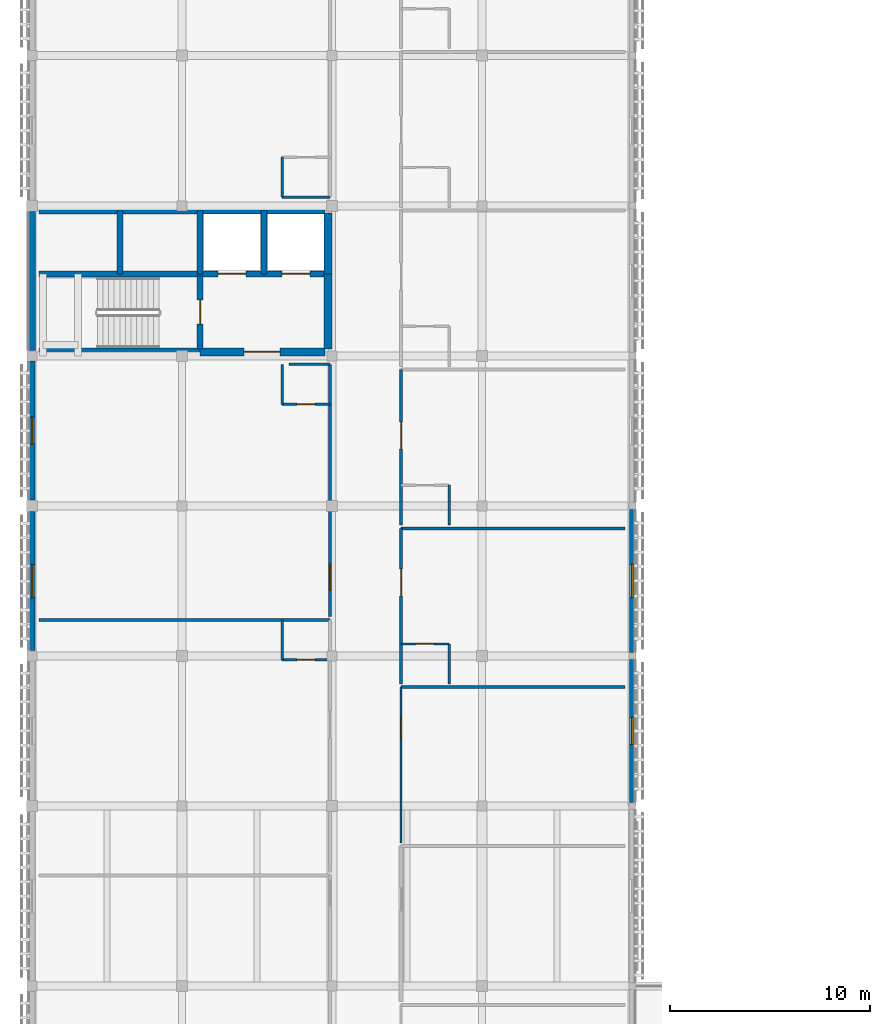
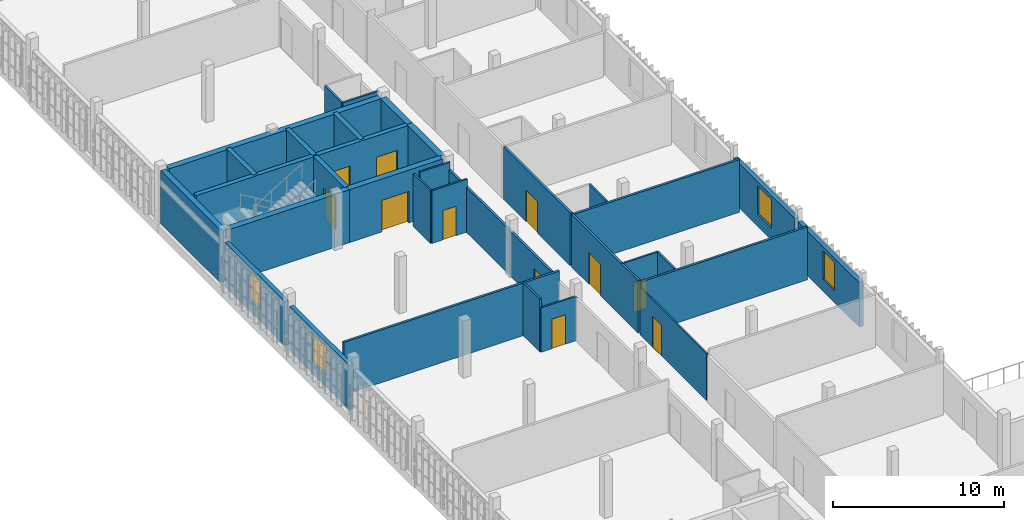
# One storey, part 6 of 17: 33 walls, 11 doors, 4 windows, 15 openings.
"""IFC4 building model written with IfcOpenShell, lengths in metres."""

from ifc_helpers import new_model, si_unit, direction, frame, frame_2d, origin, place, context, subcontext, project, spatial, rectangle, extrude, material, layer, layer_set, type_object, element, fill, save


model = new_model("IFC4")

# Units and contexts
model_context = context("Model", 3, precision=1e-05, world=origin(), true_north=direction((0.0, 1.0)))
body_context = subcontext(model_context, "Body", "Model", "MODEL_VIEW")
ifc_project = project(units=[si_unit("LENGTHUNIT", "METRE"), si_unit("AREAUNIT", "SQUARE_METRE"), si_unit("VOLUMEUNIT", "CUBIC_METRE"), si_unit("PLANEANGLEUNIT", "RADIAN"), si_unit("MASSUNIT", "GRAM", prefix="KILO")], contexts=[model_context])

# Site, building, storey
site_placement = place(None, origin())
site = spatial("IfcSite", under=ifc_project, at=site_placement, CompositionType="ELEMENT")
building_placement = place(site_placement, origin())
building = spatial("IfcBuilding", under=site, at=building_placement, Name="Dalvernix Boulevard General Hospital", CompositionType="ELEMENT")
storey_placement = place(building_placement, frame((0.0, 0.0, 25.949951171875)))
storey = spatial("IfcBuildingStorey", under=building, at=storey_placement, Name="L06", CompositionType="ELEMENT", Elevation=25.949951171875)

# Wall
ifc_material_1 = material(Name="Concrete C40/50", Category="concrete")
ifc_layer_1 = layer(ifc_material_1, 0.39990234375)
ifc_layer_set_1 = layer_set([ifc_layer_1], Name="Concrete C40/50 (WAL-CSW-01)")
wall_type_1 = type_object("IfcWallType", Name="WAL-CSW-01", PredefinedType="SHEAR", material=ifc_layer_set_1)
wall_1_placement = place(storey_placement, frame((0.35009765625, 54.199951171875, 0.0), z_axis=(0.0, 0.0, 1.0), x_axis=(1.0, 0.0, 0.0)))
element("IfcWall", 1, at=wall_1_placement, inside=storey, type_object=wall_type_1, Name="L06 C2 south stairwell wall", PredefinedType="SHEAR", context=body_context, shape_type="SweptSolid", body=[
    extrude(rectangle(XDim=8.0498046875, YDim=0.39990234375, at=frame_2d((4.02490234375, 0.0))), origin(), (0.0, 0.0, 1.0), 3.77001953125),
])

# Wall, opening, door
wall_2_placement = place(storey_placement, frame((8.39990234375, 54.199951171875, 0.0), z_axis=(0.0, 0.0, 1.0), x_axis=(1.0, 0.0, 0.0)))
wall_2 = element("IfcWall", 2, at=wall_2_placement, inside=storey, type_object=wall_type_1, Name="L06 C2 south firefighting lobby wall", PredefinedType="SHEAR", context=body_context, shape_type="SweptSolid", body=[
    extrude(rectangle(XDim=6.25, YDim=0.39990234375, at=frame_2d((3.125, 0.0))), origin(), (0.0, 0.0, 1.0), 3.77001953125),
])
opening_1_placement = place(wall_2_placement, frame((2.199951171875, 0.0, 0.0)))
opening_1 = element("IfcOpeningElement", 3, at=opening_1_placement, cuts=wall_2, Name="Opening FD-01", PredefinedType="OPENING", context=body_context, shape_type="SweptSolid", body=[
    extrude(rectangle(XDim=1.800048828125, YDim=2.25, at=frame_2d((0.89990234375, 1.125))), frame((0.0, 0.2099609375, 0.0), z_axis=(0.0, -1.0, 0.0), x_axis=(1.0, 0.0, 0.0)), (0.0, 0.0, 1.0), 0.419921875),
])
ifc_material_2 = material(Name="Hospital laminate acoustic timber and steel frame", Category="steel")
door_type_1 = type_object("IfcDoorType", Name="DR-FD-01", OperationType="DOUBLE_DOOR_SINGLE_SWING", PredefinedType="DOOR", material=ifc_material_2)
door_1_placement = place(opening_1_placement, origin())
door_1 = element("IfcDoor", 4, at=door_1_placement, inside=storey, type_object=door_type_1, Name="L06 C2 firefighting lobby door", OperationType="DOUBLE_DOOR_SINGLE_SWING", OverallHeight=2.25, OverallWidth=1.800048828125, PredefinedType="DOOR", context=body_context, shape_type="SweptSolid", body=[
    extrude(rectangle(XDim=1.800048828125, YDim=2.25, at=frame_2d((0.89990234375, 1.125))), frame((0.0, 0.02490234375, 0.0), z_axis=(0.0, -1.0, 0.0), x_axis=(1.0, 0.0, 0.0)), (0.0, 0.0, 1.0), 0.050048828125),
])
fill(opening_1, door_1)

# Walls
wall_3_placement = place(storey_placement, frame((0.35009765625, 61.300048828125, 0.0), z_axis=(0.0, 0.0, 1.0), x_axis=(1.0, 0.0, 0.0)))
element("IfcWall", 5, at=wall_3_placement, inside=storey, type_object=wall_type_1, Name="L06 C2 north shaft core wall", PredefinedType="SHEAR", context=body_context, shape_type="SweptSolid", body=[
    extrude(rectangle(XDim=14.2998046875, YDim=0.39990234375, at=frame_2d((7.14990234375, 0.0))), origin(), (0.0, 0.0, 1.0), 3.77001953125),
])
wall_4_placement = place(storey_placement, frame((14.800048828125, 54.35009765625, 0.0), z_axis=(0.0, 0.0, 1.0), x_axis=(0.0, 1.0, 0.0)))
element("IfcWall", 6, at=wall_4_placement, inside=storey, type_object=wall_type_1, Name="L06 C2 east lobby core wall", PredefinedType="SHEAR", context=body_context, shape_type="SweptSolid", body=[
    extrude(rectangle(XDim=3.75, YDim=0.39990234375, at=frame_2d((1.875, 0.0))), origin(), (0.0, 0.0, 1.0), 3.77001953125),
])
wall_5_placement = place(storey_placement, frame((14.800048828125, 58.10009765625, 0.0), z_axis=(0.0, 0.0, 1.0), x_axis=(0.0, 1.0, 0.0)))
element("IfcWall", 7, at=wall_5_placement, inside=storey, type_object=wall_type_1, Name="L06 C2 east shaft core wall", PredefinedType="SHEAR", context=body_context, shape_type="SweptSolid", body=[
    extrude(rectangle(XDim=3.0498046875, YDim=0.39990234375, at=frame_2d((1.52490234375, 0.0))), origin(), (0.0, 0.0, 1.0), 3.77001953125),
])
ifc_layer_2 = layer(ifc_material_1, 0.300048828125)
ifc_layer_set_2 = layer_set([ifc_layer_2], Name="Concrete C40/50 (WAL-CSW-02)")
wall_type_2 = type_object("IfcWallType", Name="WAL-CSW-02", PredefinedType="SHEAR", material=ifc_layer_set_2)
wall_6_placement = place(storey_placement, frame((0.35009765625, 58.10009765625, 0.0), z_axis=(0.0, 0.0, 1.0), x_axis=(1.0, 0.0, 0.0)))
element("IfcWall", 8, at=wall_6_placement, inside=storey, type_object=wall_type_2, Name="L06 C2 riser spine wall", PredefinedType="SHEAR", context=body_context, shape_type="SweptSolid", body=[
    extrude(rectangle(XDim=8.0498046875, YDim=0.300048828125, at=frame_2d((4.02490234375, 0.0))), origin(), (0.0, 0.0, 1.0), 3.77001953125),
])

# Wall, openings, doors
wall_7_placement = place(storey_placement, frame((8.39990234375, 58.10009765625, 0.0), z_axis=(0.0, 0.0, 1.0), x_axis=(1.0, 0.0, 0.0)))
wall_7 = element("IfcWall", 9, at=wall_7_placement, inside=storey, type_object=wall_type_2, Name="L06 C2 lift shaft front wall", PredefinedType="SHEAR", context=body_context, shape_type="SweptSolid", body=[
    extrude(rectangle(XDim=6.25, YDim=0.300048828125, at=frame_2d((3.125, 0.0))), origin(), (0.0, 0.0, 1.0), 3.77001953125),
])
opening_2_placement = place(wall_7_placement, frame((0.89990234375, 0.0, 0.0)))
opening_2 = element("IfcOpeningElement", 10, at=opening_2_placement, cuts=wall_7, Name="Opening LD-FFL-03-L06", PredefinedType="OPENING", context=body_context, shape_type="SweptSolid", body=[
    extrude(rectangle(XDim=1.39990234375, YDim=2.25, at=frame_2d((0.699951171875, 1.125))), frame((0.0, 0.159912109375, 0.0), z_axis=(0.0, -1.0, 0.0), x_axis=(1.0, 0.0, 0.0)), (0.0, 0.0, 1.0), 0.320068359375),
])
opening_3_placement = place(wall_7_placement, frame((4.10009765625, 0.0, 0.0)))
opening_3 = element("IfcOpeningElement", 11, at=opening_3_placement, cuts=wall_7, Name="Opening LD-FFL-04-L06", PredefinedType="OPENING", context=body_context, shape_type="SweptSolid", body=[
    extrude(rectangle(XDim=1.39990234375, YDim=2.25, at=frame_2d((0.699951171875, 1.125))), frame((0.0, 0.159912109375, 0.0), z_axis=(0.0, -1.0, 0.0), x_axis=(1.0, 0.0, 0.0)), (0.0, 0.0, 1.0), 0.320068359375),
])
ifc_material_3 = material(Name="Stainless-clad steel", Category="steel")
door_type_2 = type_object("IfcDoorType", Name="DR-LD-01", OperationType="DOUBLE_DOOR_SLIDING", PredefinedType="DOOR", material=ifc_material_3)
door_2_placement = place(opening_2_placement, origin())
door_2 = element("IfcDoor", 12, at=door_2_placement, inside=storey, type_object=door_type_2, Name="L06 Lift FFL-03 sliding landing door", OperationType="DOUBLE_DOOR_SLIDING", OverallHeight=2.25, OverallWidth=1.39990234375, PredefinedType="DOOR", context=body_context, shape_type="SweptSolid", body=[
    extrude(rectangle(XDim=1.39990234375, YDim=2.25, at=frame_2d((0.699951171875, 1.125))), frame((0.0, 0.02490234375, 0.0), z_axis=(0.0, -1.0, 0.0), x_axis=(1.0, 0.0, 0.0)), (0.0, 0.0, 1.0), 0.050048828125),
])
fill(opening_2, door_2)
door_3_placement = place(opening_3_placement, origin())
door_3 = element("IfcDoor", 13, at=door_3_placement, inside=storey, type_object=door_type_2, Name="L06 Lift FFL-04 sliding landing door", OperationType="DOUBLE_DOOR_SLIDING", OverallHeight=2.25, OverallWidth=1.39990234375, PredefinedType="DOOR", context=body_context, shape_type="SweptSolid", body=[
    extrude(rectangle(XDim=1.39990234375, YDim=2.25, at=frame_2d((0.699951171875, 1.125))), frame((0.0, 0.02490234375, 0.0), z_axis=(0.0, -1.0, 0.0), x_axis=(1.0, 0.0, 0.0)), (0.0, 0.0, 1.0), 0.050048828125),
])
fill(opening_3, door_3)

# Wall, opening, door
wall_8_placement = place(storey_placement, frame((8.39990234375, 58.0, 0.0), z_axis=(0.0, 0.0, 1.0), x_axis=(0.0, -1.0, 0.0)))
wall_8 = element("IfcWall", 14, at=wall_8_placement, inside=storey, type_object=wall_type_2, Name="L06 C2 stairwell fire wall", PredefinedType="SHEAR", context=body_context, shape_type="SweptSolid", body=[
    extrude(rectangle(XDim=3.64990234375, YDim=0.300048828125, at=frame_2d((1.824951171875, 0.0))), origin(), (0.0, 0.0, 1.0), 3.77001953125),
])
opening_4_placement = place(wall_8_placement, frame((1.219970703125, 0.0, 0.0)))
opening_4 = element("IfcOpeningElement", 15, at=opening_4_placement, cuts=wall_8, Name="Opening FD-02", PredefinedType="OPENING", context=body_context, shape_type="SweptSolid", body=[
    extrude(rectangle(XDim=1.199951171875, YDim=2.25, at=frame_2d((0.60009765625, 1.125))), frame((0.0, 0.159912109375, 0.0), z_axis=(0.0, -1.0, 0.0), x_axis=(1.0, 0.0, 0.0)), (0.0, 0.0, 1.0), 0.320068359375),
])
door_type_3 = type_object("IfcDoorType", Name="DR-FD-02", OperationType="NOTDEFINED", PredefinedType="DOOR", material=ifc_material_2)
door_4_placement = place(opening_4_placement, origin())
door_4 = element("IfcDoor", 16, at=door_4_placement, inside=storey, type_object=door_type_3, Name="L06 Stair ST-02 fire door", OperationType="SINGLE_SWING_RIGHT", OverallHeight=2.25, OverallWidth=1.199951171875, PredefinedType="DOOR", context=body_context, shape_type="SweptSolid", body=[
    extrude(rectangle(XDim=1.199951171875, YDim=2.25, at=frame_2d((0.60009765625, 1.125))), frame((0.0, 0.02490234375, 0.0), z_axis=(0.0, -1.0, 0.0), x_axis=(1.0, 0.0, 0.0)), (0.0, 0.0, 1.0), 0.050048828125),
])
fill(opening_4, door_4)

# Walls
for number, where, z_axis, x_axis, name in (
    (17, (4.39990234375, 58.10009765625, 0.0), (0.0, 0.0, 1.0), (0.0, 1.0, 0.0), "L06 C2 shaft divider R1"),
    (18, (8.39990234375, 58.10009765625, 0.0), (0.0, 0.0, 1.0), (0.0, 1.0, 0.0), "L06 C2 shaft divider R2"),
    (19, (11.60009765625, 58.10009765625, 0.0), (0.0, 0.0, 1.0), (0.0, 1.0, 0.0), "L06 C2 shaft divider L1"),
):
    element("IfcWall", number, at=place(storey_placement, frame(where, z_axis=z_axis, x_axis=x_axis)), inside=storey, type_object=wall_type_2, Name=name, PredefinedType="SHEAR", context=body_context, shape_type="SweptSolid", body=[
        extrude(rectangle(XDim=3.14990234375, YDim=0.300048828125, at=frame_2d((1.574951171875, 0.0))), origin(), (0.0, 0.0, 1.0), 3.77001953125),
    ])
ifc_layer_3 = layer(ifc_material_1, 0.35009765625)
ifc_layer_set_3 = layer_set([ifc_layer_3], Name="Concrete C40/50 (WAL-ESW-01)")
wall_type_3 = type_object("IfcWallType", Name="WAL-ESW-01", PredefinedType="SHEAR", material=ifc_layer_set_3)
wall_9_placement = place(storey_placement, frame((0.0, 54.260009765625, 0.0), z_axis=(0.0, 0.0, 1.0), x_axis=(0.0, 1.0, 0.0)))
element("IfcWall", 20, at=wall_9_placement, inside=storey, type_object=wall_type_3, Name="L06 core perimeter shear wall W 0-7", PredefinedType="SHEAR", context=body_context, shape_type="SweptSolid", body=[
    extrude(rectangle(XDim=6.955078125, YDim=0.35009765625, at=frame_2d((3.4775390625, 0.0))), origin(), (0.0, 0.0, 1.0), 3.77001953125),
])

# Wall, opening, window
ifc_material_4 = material(Name="Screened upper-ward insulated masonry cavity wall C35/45", Category="masonry")
ifc_layer_4 = layer(ifc_material_4, 0.280029296875)
ifc_layer_set_4 = layer_set([ifc_layer_4], Name="Screened upper-ward insulated masonry cavity wall C35/45 (WAL-EW-03)")
wall_type_4 = type_object("IfcWallType", Name="WAL-EW-03", PredefinedType="STANDARD", material=ifc_layer_set_4)
wall_10_placement = place(storey_placement, frame((0.0, 39.260009765625, 0.0), z_axis=(0.0, 0.0, 1.0), x_axis=(0.0, 1.0, 0.0)))
wall_10 = element("IfcWall", 21, at=wall_10_placement, inside=storey, type_object=wall_type_4, Name="L06 Catalan brick external wall W 0-5", PredefinedType="STANDARD", context=body_context, shape_type="SweptSolid", body=[
    extrude(rectangle(XDim=6.955078125, YDim=0.280029296875, at=frame_2d((3.4775390625, 0.0))), origin(), (0.0, 0.0, 1.0), 3.170166015625),
])
opening_5_placement = place(wall_10_placement, frame((2.652587890625, 0.0, 0.85009765625)))
opening_5 = element("IfcOpeningElement", 22, at=opening_5_placement, cuts=wall_10, Name="Opening WN-20", PredefinedType="OPENING", context=body_context, shape_type="SweptSolid", body=[
    extrude(rectangle(XDim=1.64990234375, YDim=2.0400390625, at=frame_2d((0.824951171875, 1.02001953125))), frame((0.0, 0.14990234375, 0.0), z_axis=(0.0, -1.0, 0.0), x_axis=(1.0, 0.0, 0.0)), (0.0, 0.0, 1.0), 0.300048828125),
])
ifc_material_5 = material(Name="Thermally broken aluminium frame with solar-control double glazing", Category="aluminium")
window_type_1 = type_object("IfcWindowType", Name="WIN-WN-20", PartitioningType="SINGLE_PANEL", PredefinedType="WINDOW", material=ifc_material_5)
window_1_placement = place(opening_5_placement, origin())
window_1 = element("IfcWindow", 23, at=window_1_placement, inside=storey, type_object=window_type_1, Name="L06 clinical window WN-20 W 0-5", OverallHeight=2.0400390625, OverallWidth=1.64990234375, PartitioningType="SINGLE_PANEL", PredefinedType="WINDOW", context=body_context, shape_type="SweptSolid", body=[
    extrude(rectangle(XDim=1.64990234375, YDim=2.0400390625, at=frame_2d((0.824951171875, 1.02001953125))), frame((0.0, 0.030029296875, 0.0), z_axis=(0.0, -1.0, 0.0), x_axis=(1.0, 0.0, 0.0)), (0.0, 0.0, 1.0), 0.06005859375),
])
fill(opening_5, window_1)

wall_11_placement = place(storey_placement, frame((0.0, 46.784912109375, 0.0), z_axis=(0.0, 0.0, 1.0), x_axis=(0.0, 1.0, 0.0)))
wall_11 = element("IfcWall", 24, at=wall_11_placement, inside=storey, type_object=wall_type_4, Name="L06 Catalan brick external wall W 0-6", PredefinedType="STANDARD", context=body_context, shape_type="SweptSolid", body=[
    extrude(rectangle(XDim=6.955078125, YDim=0.280029296875, at=frame_2d((3.4775390625, 0.0))), origin(), (0.0, 0.0, 1.0), 3.170166015625),
])
opening_6_placement = place(wall_11_placement, frame((2.802490234375, 0.0, 0.85009765625)))
opening_6 = element("IfcOpeningElement", 25, at=opening_6_placement, cuts=wall_11, Name="Opening WN-19", PredefinedType="OPENING", context=body_context, shape_type="SweptSolid", body=[
    extrude(rectangle(XDim=1.35009765625, YDim=2.0400390625, at=frame_2d((0.675048828125, 1.02001953125))), frame((0.0, 0.14990234375, 0.0), z_axis=(0.0, -1.0, 0.0), x_axis=(1.0, 0.0, 0.0)), (0.0, 0.0, 1.0), 0.300048828125),
])
window_type_2 = type_object("IfcWindowType", Name="WIN-WN-19", PartitioningType="SINGLE_PANEL", PredefinedType="WINDOW", material=ifc_material_5)
window_2_placement = place(opening_6_placement, origin())
window_2 = element("IfcWindow", 26, at=window_2_placement, inside=storey, type_object=window_type_2, Name="L06 clinical window WN-19 W 0-6", OverallHeight=2.0400390625, OverallWidth=1.35009765625, PartitioningType="SINGLE_PANEL", PredefinedType="WINDOW", context=body_context, shape_type="SweptSolid", body=[
    extrude(rectangle(XDim=1.35009765625, YDim=2.0400390625, at=frame_2d((0.675048828125, 1.02001953125))), frame((0.0, 0.030029296875, 0.0), z_axis=(0.0, -1.0, 0.0), x_axis=(1.0, 0.0, 0.0)), (0.0, 0.0, 1.0), 0.06005859375),
])
fill(opening_6, window_2)

wall_12_placement = place(storey_placement, frame((30.0, 38.830078125, 0.0), z_axis=(0.0, 0.0, 1.0), x_axis=(0.0, -1.0, 0.0)))
wall_12 = element("IfcWall", 27, at=wall_12_placement, inside=storey, type_object=wall_type_4, Name="L06 Catalan brick external wall E 4-4", PredefinedType="STANDARD", context=body_context, shape_type="SweptSolid", body=[
    extrude(rectangle(XDim=7.16015625, YDim=0.280029296875, at=frame_2d((3.580078125, 0.0))), origin(), (0.0, 0.0, 1.0), 3.170166015625),
])
opening_7_placement = place(wall_12_placement, frame((2.905029296875, 0.0, 0.85009765625)))
opening_7 = element("IfcOpeningElement", 28, at=opening_7_placement, cuts=wall_12, Name="Opening WN-19", PredefinedType="OPENING", context=body_context, shape_type="SweptSolid", body=[
    extrude(rectangle(XDim=1.35009765625, YDim=2.0400390625, at=frame_2d((0.675048828125, 1.02001953125))), frame((0.0, 0.14990234375, 0.0), z_axis=(0.0, -1.0, 0.0), x_axis=(1.0, 0.0, 0.0)), (0.0, 0.0, 1.0), 0.300048828125),
])
window_3_placement = place(opening_7_placement, origin())
window_3 = element("IfcWindow", 29, at=window_3_placement, inside=storey, type_object=window_type_2, Name="L06 clinical window WN-19 E 4-4", OverallHeight=2.0400390625, OverallWidth=1.35009765625, PartitioningType="SINGLE_PANEL", PredefinedType="WINDOW", context=body_context, shape_type="SweptSolid", body=[
    extrude(rectangle(XDim=1.35009765625, YDim=2.0400390625, at=frame_2d((0.675048828125, 1.02001953125))), frame((0.0, 0.030029296875, 0.0), z_axis=(0.0, -1.0, 0.0), x_axis=(1.0, 0.0, 0.0)), (0.0, 0.0, 1.0), 0.06005859375),
])
fill(opening_7, window_3)

wall_13_placement = place(storey_placement, frame((30.0, 46.330078125, 0.0), z_axis=(0.0, 0.0, 1.0), x_axis=(0.0, -1.0, 0.0)))
wall_13 = element("IfcWall", 30, at=wall_13_placement, inside=storey, type_object=wall_type_4, Name="L06 Catalan brick external wall E 4-5", PredefinedType="STANDARD", context=body_context, shape_type="SweptSolid", body=[
    extrude(rectangle(XDim=7.16015625, YDim=0.280029296875, at=frame_2d((3.580078125, 0.0))), origin(), (0.0, 0.0, 1.0), 3.170166015625),
])
opening_8_placement = place(wall_13_placement, frame((2.7548828125, 0.0, 0.85009765625)))
opening_8 = element("IfcOpeningElement", 31, at=opening_8_placement, cuts=wall_13, Name="Opening WN-20", PredefinedType="OPENING", context=body_context, shape_type="SweptSolid", body=[
    extrude(rectangle(XDim=1.64990234375, YDim=2.0400390625, at=frame_2d((0.824951171875, 1.02001953125))), frame((0.0, 0.14990234375, 0.0), z_axis=(0.0, -1.0, 0.0), x_axis=(1.0, 0.0, 0.0)), (0.0, 0.0, 1.0), 0.300048828125),
])
window_4_placement = place(opening_8_placement, origin())
window_4 = element("IfcWindow", 32, at=window_4_placement, inside=storey, type_object=window_type_1, Name="L06 clinical window WN-20 E 4-5", OverallHeight=2.0400390625, OverallWidth=1.64990234375, PartitioningType="SINGLE_PANEL", PredefinedType="WINDOW", context=body_context, shape_type="SweptSolid", body=[
    extrude(rectangle(XDim=1.64990234375, YDim=2.0400390625, at=frame_2d((0.824951171875, 1.02001953125))), frame((0.0, 0.030029296875, 0.0), z_axis=(0.0, -1.0, 0.0), x_axis=(1.0, 0.0, 0.0)), (0.0, 0.0, 1.0), 0.06005859375),
])
fill(opening_8, window_4)

# Wall, opening, door
ifc_material_6 = material(Name="Acoustic double-stud gypsum inpatient partition")
ifc_layer_5 = layer(ifc_material_6, 0.14990234375)
ifc_layer_set_5 = layer_set([ifc_layer_5], Name="Acoustic double-stud gypsum inpatient partition (WAL-IW-04)")
wall_type_5 = type_object("IfcWallType", Name="WAL-IW-04", PredefinedType="PARTITIONING", material=ifc_layer_set_5)
wall_14_placement = place(storey_placement, frame((14.89990234375, 40.96337890625, 0.0), z_axis=(0.0, 0.0, 1.0), x_axis=(0.0, 1.0, 0.0)))
wall_14 = element("IfcWall", 33, at=wall_14_placement, inside=storey, type_object=wall_type_5, Name="L06 Negative-Pressure Isolation Room L06-W04 corridor wall", PredefinedType="PARTITIONING", context=body_context, shape_type="SweptSolid", body=[
    extrude(rectangle(XDim=12.606689453125, YDim=0.14990234375, at=frame_2d((6.30322265625, 0.0))), origin(), (0.0, 0.0, 1.0), 3.205078125),
])
opening_9_placement = place(wall_14_placement, frame((1.330810546875, 0.0, 0.0)))
opening_9 = element("IfcOpeningElement", 34, at=opening_9_placement, cuts=wall_14, Name="Opening ID-03", PredefinedType="OPENING", context=body_context, shape_type="SweptSolid", body=[
    extrude(rectangle(XDim=1.300048828125, YDim=2.199951171875, at=frame_2d((0.64990234375, 1.10009765625))), frame((0.0, 0.0849609375, 0.0), z_axis=(0.0, -1.0, 0.0), x_axis=(1.0, 0.0, 0.0)), (0.0, 0.0, 1.0), 0.169921875),
])
door_type_4 = type_object("IfcDoorType", Name="DR-ID-03", OperationType="NOTDEFINED", PredefinedType="DOOR", material=ifc_material_2)
door_5_placement = place(opening_9_placement, origin())
door_5 = element("IfcDoor", 35, at=door_5_placement, inside=storey, type_object=door_type_4, Name="L06 Negative-Pressure Isolation Room L06-W04 door", OperationType="SINGLE_SWING_RIGHT", OverallHeight=2.199951171875, OverallWidth=1.300048828125, PredefinedType="DOOR", context=body_context, shape_type="SweptSolid", body=[
    extrude(rectangle(XDim=1.300048828125, YDim=2.199951171875, at=frame_2d((0.64990234375, 1.10009765625))), frame((0.0, 0.02490234375, 0.0), z_axis=(0.0, -1.0, 0.0), x_axis=(1.0, 0.0, 0.0)), (0.0, 0.0, 1.0), 0.050048828125),
])
fill(opening_9, door_5)

wall_15_placement = place(storey_placement, frame((18.449951171875, 45.37548828125, 0.0), z_axis=(0.0, 0.0, 1.0), x_axis=(0.0, -1.0, 0.0)))
wall_15 = element("IfcWall", 36, at=wall_15_placement, inside=storey, type_object=wall_type_5, Name="L06 Single Patient Room L06-E03 corridor wall", PredefinedType="PARTITIONING", context=body_context, shape_type="SweptSolid", body=[
    extrude(rectangle(XDim=7.77880859375, YDim=0.14990234375, at=frame_2d((3.889404296875, 0.0))), origin(), (0.0, 0.0, 1.0), 3.755126953125),
])
opening_10_placement = place(wall_15_placement, frame((2.02880859375, 0.0, 0.0)))
opening_10 = element("IfcOpeningElement", 37, at=opening_10_placement, cuts=wall_15, Name="Opening ID-01", PredefinedType="OPENING", context=body_context, shape_type="SweptSolid", body=[
    extrude(rectangle(XDim=1.35009765625, YDim=2.25, at=frame_2d((0.675048828125, 1.125))), frame((0.0, 0.0849609375, 0.0), z_axis=(0.0, -1.0, 0.0), x_axis=(1.0, 0.0, 0.0)), (0.0, 0.0, 1.0), 0.169921875),
])
door_type_5 = type_object("IfcDoorType", Name="DR-ID-01", OperationType="NOTDEFINED", PredefinedType="DOOR", material=ifc_material_2)
door_6_placement = place(opening_10_placement, origin())
door_6 = element("IfcDoor", 38, at=door_6_placement, inside=storey, type_object=door_type_5, Name="L06 Single Patient Room L06-E03 door", OperationType="SINGLE_SWING_LEFT", OverallHeight=2.25, OverallWidth=1.35009765625, PredefinedType="DOOR", context=body_context, shape_type="SweptSolid", body=[
    extrude(rectangle(XDim=1.35009765625, YDim=2.25, at=frame_2d((0.675048828125, 1.125))), frame((0.0, 0.02490234375, 0.0), z_axis=(0.0, -1.0, 0.0), x_axis=(1.0, 0.0, 0.0)), (0.0, 0.0, 1.0), 0.050048828125),
])
fill(opening_10, door_6)

wall_16_placement = place(storey_placement, frame((18.449951171875, 53.314453125, 0.0), z_axis=(0.0, 0.0, 1.0), x_axis=(0.0, -1.0, 0.0)))
wall_16 = element("IfcWall", 39, at=wall_16_placement, inside=storey, type_object=wall_type_5, Name="L06 Single Patient Room L06-E04 corridor wall", PredefinedType="PARTITIONING", context=body_context, shape_type="SweptSolid", body=[
    extrude(rectangle(XDim=7.77880859375, YDim=0.14990234375, at=frame_2d((3.889404296875, 0.0))), origin(), (0.0, 0.0, 1.0), 3.755126953125),
])
opening_11_placement = place(wall_16_placement, frame((2.62158203125, 0.0, 0.0)))
opening_11 = element("IfcOpeningElement", 40, at=opening_11_placement, cuts=wall_16, Name="Opening ID-01", PredefinedType="OPENING", context=body_context, shape_type="SweptSolid", body=[
    extrude(rectangle(XDim=1.35009765625, YDim=2.25, at=frame_2d((0.675048828125, 1.125))), frame((0.0, 0.0849609375, 0.0), z_axis=(0.0, -1.0, 0.0), x_axis=(1.0, 0.0, 0.0)), (0.0, 0.0, 1.0), 0.169921875),
])
door_7_placement = place(opening_11_placement, origin())
door_7 = element("IfcDoor", 41, at=door_7_placement, inside=storey, type_object=door_type_5, Name="L06 Single Patient Room L06-E04 door", OperationType="SINGLE_SWING_LEFT", OverallHeight=2.25, OverallWidth=1.35009765625, PredefinedType="DOOR", context=body_context, shape_type="SweptSolid", body=[
    extrude(rectangle(XDim=1.35009765625, YDim=2.25, at=frame_2d((0.675048828125, 1.125))), frame((0.0, 0.02490234375, 0.0), z_axis=(0.0, -1.0, 0.0), x_axis=(1.0, 0.0, 0.0)), (0.0, 0.0, 1.0), 0.050048828125),
])
fill(opening_11, door_7)

# Walls
wall_17_placement = place(storey_placement, frame((0.35009765625, 40.80322265625, 0.0), z_axis=(0.0, 0.0, 1.0), x_axis=(1.0, 0.0, 0.0)))
element("IfcWall", 42, at=wall_17_placement, inside=storey, type_object=wall_type_5, Name="L06 Neurology Single Patient Room L06-W03 partition", PredefinedType="PARTITIONING", context=body_context, shape_type="SweptSolid", body=[
    extrude(rectangle(XDim=14.5498046875, YDim=0.14990234375, at=frame_2d((7.27490234375, 0.0))), origin(), (0.0, 0.0, 1.0), 3.755126953125),
])
for number, where, z_axis, x_axis, name in (
    (43, (18.449951171875, 37.436767578125, 0.0), (0.0, 0.0, 1.0), (1.0, 0.0, 0.0), "L06 Patient and Family Day Lounge L06 partition"),
    (44, (18.449951171875, 45.37548828125, 0.0), (0.0, 0.0, 1.0), (1.0, 0.0, 0.0), "L06 Single Patient Room L06-E03 partition"),
):
    element("IfcWall", number, at=place(storey_placement, frame(where, z_axis=z_axis, x_axis=x_axis)), inside=storey, type_object=wall_type_5, Name=name, PredefinedType="PARTITIONING", context=body_context, shape_type="SweptSolid", body=[
        extrude(rectangle(XDim=11.199951171875, YDim=0.14990234375, at=frame_2d((5.60009765625, 0.0))), origin(), (0.0, 0.0, 1.0), 3.755126953125),
    ])

# Wall, opening, door
ifc_material_7 = material(Name="Moisture-resistant en-suite bathroom partition")
ifc_layer_6 = layer(ifc_material_7, 0.1201171875)
ifc_layer_set_6 = layer_set([ifc_layer_6], Name="Moisture-resistant en-suite bathroom partition (WAL-IW-05)")
wall_type_6 = type_object("IfcWallType", Name="WAL-IW-05", PredefinedType="PARTITIONING", material=ifc_layer_set_6)
wall_18_placement = place(storey_placement, frame((12.5, 38.80322265625, 0.0), z_axis=(0.0, 0.0, 1.0), x_axis=(1.0, 0.0, 0.0)))
wall_18 = element("IfcWall", 45, at=wall_18_placement, inside=storey, type_object=wall_type_6, Name="L06 en-suite bathroom door wall", PredefinedType="PARTITIONING", context=body_context, shape_type="SweptSolid", body=[
    extrude(rectangle(XDim=2.39990234375, YDim=0.1201171875, at=frame_2d((1.199951171875, 0.0))), origin(), (0.0, 0.0, 1.0), 3.155029296875),
])
opening_12_placement = place(wall_18_placement, frame((0.75, 0.0, 0.0)))
opening_12 = element("IfcOpeningElement", 46, at=opening_12_placement, cuts=wall_18, Name="Opening ID-05", PredefinedType="OPENING", context=body_context, shape_type="SweptSolid", body=[
    extrude(rectangle(XDim=0.89990234375, YDim=2.10009765625, at=frame_2d((0.449951171875, 1.050048828125))), frame((0.0, 0.070068359375, 0.0), z_axis=(0.0, -1.0, 0.0), x_axis=(1.0, 0.0, 0.0)), (0.0, 0.0, 1.0), 0.14013671875),
])
door_type_6 = type_object("IfcDoorType", Name="DR-ID-05", OperationType="NOTDEFINED", PredefinedType="DOOR", material=ifc_material_2)
door_8_placement = place(opening_12_placement, origin())
door_8 = element("IfcDoor", 47, at=door_8_placement, inside=storey, type_object=door_type_6, Name="L06 L06-WRD-W03 en-suite bathroom door", OperationType="SINGLE_SWING_LEFT", OverallHeight=2.10009765625, OverallWidth=0.89990234375, PredefinedType="DOOR", context=body_context, shape_type="SweptSolid", body=[
    extrude(rectangle(XDim=0.89990234375, YDim=2.10009765625, at=frame_2d((0.449951171875, 1.050048828125))), frame((0.0, 0.02490234375, 0.0), z_axis=(0.0, -1.0, 0.0), x_axis=(1.0, 0.0, 0.0)), (0.0, 0.0, 1.0), 0.050048828125),
])
fill(opening_12, door_8)

# Wall
wall_19_placement = place(storey_placement, frame((12.5, 38.80322265625, 0.0), z_axis=(0.0, 0.0, 1.0), x_axis=(0.0, 1.0, 0.0)))
element("IfcWall", 48, at=wall_19_placement, inside=storey, type_object=wall_type_6, Name="L06 en-suite bathroom side wall", PredefinedType="PARTITIONING", context=body_context, shape_type="SweptSolid", body=[
    extrude(rectangle(XDim=2.0, YDim=0.1201171875, at=frame_2d((1.0, 0.0))), origin(), (0.0, 0.0, 1.0), 3.755126953125),
])

# Wall, opening, door
wall_20_placement = place(storey_placement, frame((12.5, 51.570068359375, 0.0), z_axis=(0.0, 0.0, 1.0), x_axis=(1.0, 0.0, 0.0)))
wall_20 = element("IfcWall", 49, at=wall_20_placement, inside=storey, type_object=wall_type_6, Name="L06 en-suite bathroom door wall", PredefinedType="PARTITIONING", context=body_context, shape_type="SweptSolid", body=[
    extrude(rectangle(XDim=2.39990234375, YDim=0.1201171875, at=frame_2d((1.199951171875, 0.0))), origin(), (0.0, 0.0, 1.0), 3.755126953125),
])
opening_13_placement = place(wall_20_placement, frame((0.75, 0.0, 0.0)))
opening_13 = element("IfcOpeningElement", 50, at=opening_13_placement, cuts=wall_20, Name="Opening ID-05", PredefinedType="OPENING", context=body_context, shape_type="SweptSolid", body=[
    extrude(rectangle(XDim=0.89990234375, YDim=2.10009765625, at=frame_2d((0.449951171875, 1.050048828125))), frame((0.0, 0.070068359375, 0.0), z_axis=(0.0, -1.0, 0.0), x_axis=(1.0, 0.0, 0.0)), (0.0, 0.0, 1.0), 0.14013671875),
])
door_9_placement = place(opening_13_placement, origin())
door_9 = element("IfcDoor", 51, at=door_9_placement, inside=storey, type_object=door_type_6, Name="L06 L06-WRD-W04 en-suite bathroom door", OperationType="SINGLE_SWING_LEFT", OverallHeight=2.10009765625, OverallWidth=0.89990234375, PredefinedType="DOOR", context=body_context, shape_type="SweptSolid", body=[
    extrude(rectangle(XDim=0.89990234375, YDim=2.10009765625, at=frame_2d((0.449951171875, 1.050048828125))), frame((0.0, 0.02490234375, 0.0), z_axis=(0.0, -1.0, 0.0), x_axis=(1.0, 0.0, 0.0)), (0.0, 0.0, 1.0), 0.050048828125),
])
fill(opening_13, door_9)

# Walls
for number, where, z_axis, x_axis, name in (
    (52, (12.5, 51.570068359375, 0.0), (0.0, 0.0, 1.0), (0.0, 1.0, 0.0), "L06 en-suite bathroom side wall"),
    (53, (12.5, 61.929931640625, 0.0), (0.0, 0.0, 1.0), (0.0, 1.0, 0.0), "L06 en-suite bathroom side wall"),
):
    element("IfcWall", number, at=place(storey_placement, frame(where, z_axis=z_axis, x_axis=x_axis)), inside=storey, type_object=wall_type_6, Name=name, PredefinedType="PARTITIONING", context=body_context, shape_type="SweptSolid", body=[
        extrude(rectangle(XDim=2.0, YDim=0.1201171875, at=frame_2d((1.0, 0.0))), origin(), (0.0, 0.0, 1.0), 3.755126953125),
    ])

# Wall, opening, door
wall_21_placement = place(storey_placement, frame((20.85009765625, 39.5966796875, 0.0), z_axis=(0.0, 0.0, 1.0), x_axis=(-1.0, 0.0, 0.0)))
wall_21 = element("IfcWall", 54, at=wall_21_placement, inside=storey, type_object=wall_type_6, Name="L06 en-suite bathroom door wall", PredefinedType="PARTITIONING", context=body_context, shape_type="SweptSolid", body=[
    extrude(rectangle(XDim=2.400146484375, YDim=0.1201171875, at=frame_2d((1.2001953125, 0.0))), origin(), (0.0, 0.0, 1.0), 3.755126953125),
])
opening_14_placement = place(wall_21_placement, frame((0.75, 0.0, 0.0)))
opening_14 = element("IfcOpeningElement", 55, at=opening_14_placement, cuts=wall_21, Name="Opening ID-05", PredefinedType="OPENING", context=body_context, shape_type="SweptSolid", body=[
    extrude(rectangle(XDim=0.89990234375, YDim=2.10009765625, at=frame_2d((0.449951171875, 1.050048828125))), frame((0.0, 0.070068359375, 0.0), z_axis=(0.0, -1.0, 0.0), x_axis=(1.0, 0.0, 0.0)), (0.0, 0.0, 1.0), 0.14013671875),
])
door_10_placement = place(opening_14_placement, origin())
door_10 = element("IfcDoor", 56, at=door_10_placement, inside=storey, type_object=door_type_6, Name="L06 L06-RM-E03 en-suite bathroom door", OperationType="SINGLE_SWING_RIGHT", OverallHeight=2.10009765625, OverallWidth=0.89990234375, PredefinedType="DOOR", context=body_context, shape_type="SweptSolid", body=[
    extrude(rectangle(XDim=0.89990234375, YDim=2.10009765625, at=frame_2d((0.449951171875, 1.050048828125))), frame((0.0, 0.02490234375, 0.0), z_axis=(0.0, -1.0, 0.0), x_axis=(1.0, 0.0, 0.0)), (0.0, 0.0, 1.0), 0.050048828125),
])
fill(opening_14, door_10)

# Walls
for number, where, z_axis, x_axis, name in (
    (57, (20.85009765625, 37.5966796875, 0.0), (0.0, 0.0, 1.0), (0.0, 1.0, 0.0), "L06 en-suite bathroom side wall"),
    (58, (20.85009765625, 45.53564453125, 0.0), (0.0, 0.0, 1.0), (0.0, 1.0, 0.0), "L06 en-suite bathroom side wall"),
):
    element("IfcWall", number, at=place(storey_placement, frame(where, z_axis=z_axis, x_axis=x_axis)), inside=storey, type_object=wall_type_6, Name=name, PredefinedType="PARTITIONING", context=body_context, shape_type="SweptSolid", body=[
        extrude(rectangle(XDim=2.0, YDim=0.1201171875, at=frame_2d((1.0, 0.0))), origin(), (0.0, 0.0, 1.0), 3.755126953125),
    ])
wall_22_placement = place(storey_placement, frame((12.85009765625, 53.570068359375, 0.0), z_axis=(0.0, 0.0, 1.0), x_axis=(1.0, 0.0, 0.0)))
element("IfcWall", 59, at=wall_22_placement, inside=storey, type_object=wall_type_6, Name="L06 En-suite Bathroom WRD-W04 enclosure wall N", PredefinedType="PARTITIONING", context=body_context, shape_type="SweptSolid", body=[
    extrude(rectangle(XDim=2.0498046875, YDim=0.1201171875, at=frame_2d((1.02490234375, 0.0))), origin(), (0.0, 0.0, 1.0), 3.755126953125),
])
wall_23_placement = place(storey_placement, frame((12.5, 61.929931640625, 0.0), z_axis=(0.0, 0.0, 1.0), x_axis=(1.0, 0.0, 0.0)))
element("IfcWall", 60, at=wall_23_placement, inside=storey, type_object=wall_type_6, Name="L06 En-suite Bathroom WRD-W05 enclosure wall S", PredefinedType="PARTITIONING", context=body_context, shape_type="SweptSolid", body=[
    extrude(rectangle(XDim=2.39990234375, YDim=0.1201171875, at=frame_2d((1.199951171875, 0.0))), origin(), (0.0, 0.0, 1.0), 3.755126953125),
])

# Wall, opening, door
ifc_material_8 = material(Name="Fire-resisting clinical sub-partition")
ifc_layer_7 = layer(ifc_material_8, 0.10009765625)
ifc_layer_set_7 = layer_set([ifc_layer_7], Name="Fire-resisting clinical sub-partition (WAL-IW-06)")
wall_type_7 = type_object("IfcWallType", Name="WAL-IW-06", PredefinedType="PARTITIONING", material=ifc_layer_set_7)
wall_24_placement = place(storey_placement, frame((18.449951171875, 37.436767578125, 0.0), z_axis=(0.0, 0.0, 1.0), x_axis=(0.0, -1.0, 0.0)))
wall_24 = element("IfcWall", 61, at=wall_24_placement, inside=storey, type_object=wall_type_7, Name="L06 Patient and Family Day Lounge L06 corridor wall", PredefinedType="PARTITIONING", context=body_context, shape_type="SweptSolid", body=[
    extrude(rectangle(XDim=7.779052734375, YDim=0.10009765625, at=frame_2d((3.8896484375, 0.0))), origin(), (0.0, 0.0, 1.0), 3.35498046875),
])
opening_15_placement = place(wall_24_placement, frame((1.495849609375, 0.0, 0.0)))
opening_15 = element("IfcOpeningElement", 62, at=opening_15_placement, cuts=wall_24, Name="Opening ID-07", PredefinedType="OPENING", context=body_context, shape_type="SweptSolid", body=[
    extrude(rectangle(XDim=1.050048828125, YDim=2.199951171875, at=frame_2d((0.52490234375, 1.10009765625))), frame((0.0, 0.06005859375, 0.0), z_axis=(0.0, -1.0, 0.0), x_axis=(1.0, 0.0, 0.0)), (0.0, 0.0, 1.0), 0.1201171875),
])
door_type_7 = type_object("IfcDoorType", Name="DR-ID-07", OperationType="NOTDEFINED", PredefinedType="DOOR", material=ifc_material_2)
door_11_placement = place(opening_15_placement, origin())
door_11 = element("IfcDoor", 63, at=door_11_placement, inside=storey, type_object=door_type_7, Name="L06 Patient and Family Day Lounge L06 door", OperationType="SINGLE_SWING_RIGHT", OverallHeight=2.199951171875, OverallWidth=1.050048828125, PredefinedType="DOOR", context=body_context, shape_type="SweptSolid", body=[
    extrude(rectangle(XDim=1.050048828125, YDim=2.199951171875, at=frame_2d((0.52490234375, 1.10009765625))), frame((0.0, 0.02490234375, 0.0), z_axis=(0.0, -1.0, 0.0), x_axis=(1.0, 0.0, 0.0)), (0.0, 0.0, 1.0), 0.050048828125),
])
fill(opening_15, door_11)

save(model, "model.ifc")
